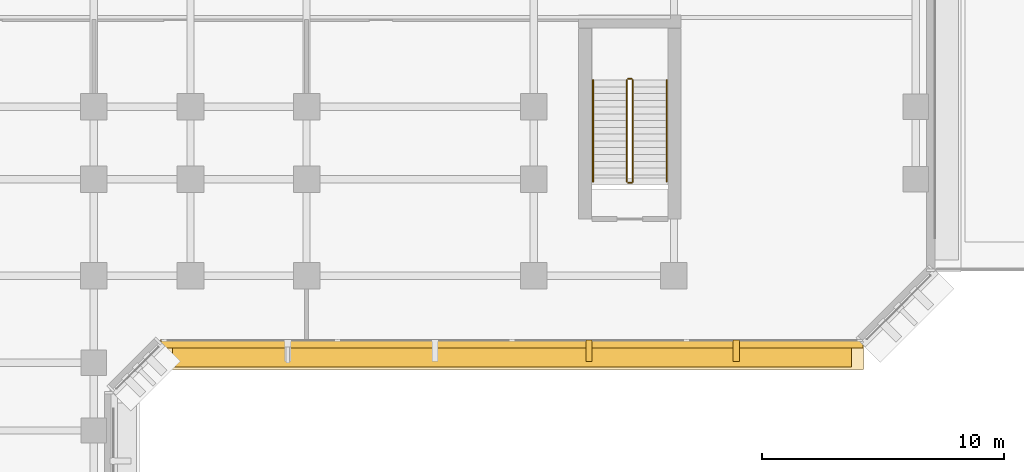
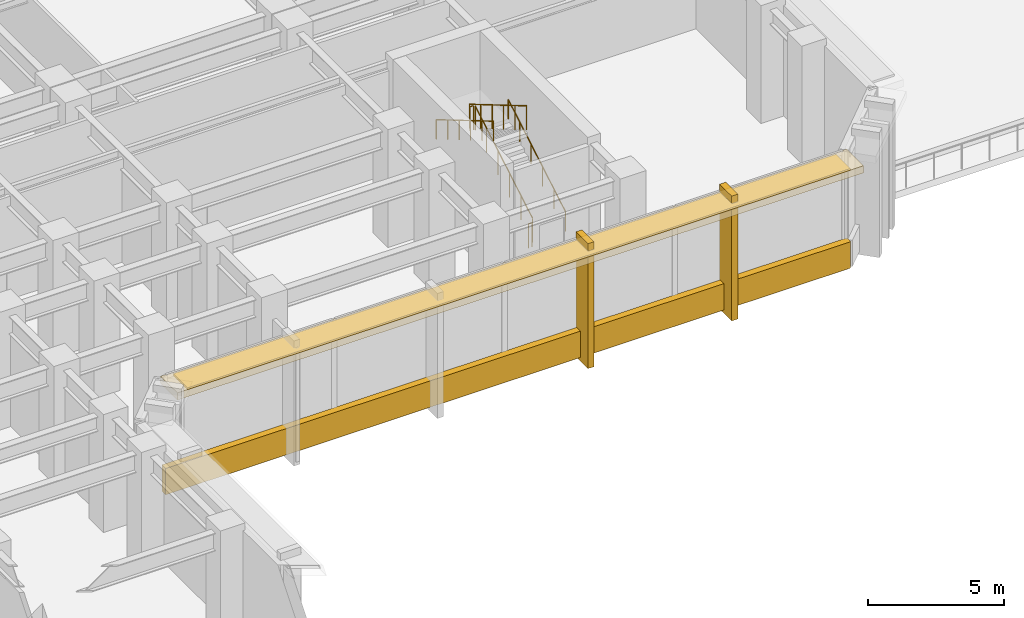
# One storey, part 12 of 16: 6 railings, 4 coverings, 1 shading device.
"""IFC4 building model written with IfcOpenShell, lengths in metres."""

from ifc_helpers import new_model, si_unit, direction, frame, origin, origin_2d, place, context, subcontext, project, spatial, rectangle, circle, extrude, material, layer, layer_set, type_object, element, save


model = new_model("IFC4")

# Units and contexts
model_context = context("Model", 3, precision=1e-05, world=origin(), true_north=direction((0.0, 1.0)))
body_context = subcontext(model_context, "Body", "Model", "MODEL_VIEW")
ifc_project = project(units=[si_unit("LENGTHUNIT", "METRE"), si_unit("AREAUNIT", "SQUARE_METRE"), si_unit("VOLUMEUNIT", "CUBIC_METRE"), si_unit("PLANEANGLEUNIT", "RADIAN"), si_unit("MASSUNIT", "GRAM", prefix="KILO")], contexts=[model_context])

# Site, building, storey
site_placement = place(None, origin())
site = spatial("IfcSite", under=ifc_project, at=site_placement, CompositionType="ELEMENT")
building_placement = place(site_placement, origin())
building = spatial("IfcBuilding", under=site, at=building_placement, Name="Kefirva Bronze Tower", CompositionType="ELEMENT")
storey_placement = place(building_placement, frame((0.0, 0.0, 11.219970703125)))
storey = spatial("IfcBuildingStorey", under=building, at=storey_placement, Name="L02", CompositionType="ELEMENT", Elevation=11.219970703125)

# Covering
ifc_material_1 = material(Name="Bronze anodised aluminium", Category="aluminium")
ifc_layer_1 = layer(ifc_material_1, 0.02001953125, Name="Bronze anodised aluminium")
ifc_layer_set_1 = layer_set([ifc_layer_1], Name="Bronze anodised aluminium")
covering_type_1 = type_object("IfcCoveringType", Name="Anodised Bronze Spandrel Cladding 20mm", PredefinedType="CLADDING", material=ifc_layer_set_1)
covering_1_placement = place(storey_placement, frame((48.5, 15.9599609375, -0.16015625), z_axis=(0.0, 0.0, 1.0), x_axis=(1.0, 0.0, 0.0)))
element("IfcCovering", 1, at=covering_1_placement, inside=storey, type_object=covering_type_1, Name="L02 Streamline Horizontal Spandrel Band 4", PredefinedType="CLADDING", context=body_context, shape_type="SweptSolid", body=[
    extrude(rectangle(XDim=29.0400390625, YDim=0.280029296875, at=origin_2d()), origin(), (0.0, 0.0, 1.0), 1.179931640625),
])

# Railings
ifc_material_2 = material(Name="Stainless steel 316", Category="steel")
railing_type_1 = type_object("IfcRailingType", Name="Interior Stair Guardrail 1100mm", PredefinedType="GUARDRAIL", material=ifc_material_2)
railing_1_placement = place(storey_placement, frame((53.5, 22.699951171875, 0.1650390625)))
element("IfcRailing", 2, at=railing_1_placement, inside=storey, type_object=railing_type_1, Name="L02 ST-4 stair guard 1", PredefinedType="GUARDRAIL", context=body_context, shape_type="SweptSolid", body=[
    extrude(circle(Radius=0.02392578125, at=origin_2d()), frame((0.0, 0.0, 1.076171875), z_axis=(0.0, 0.861527117747, 0.50771155727), x_axis=(-1.0, 0.0, 0.0)), (0.0, 0.0, 1.0), 4.875),
    extrude(circle(Radius=0.02099609375, at=origin_2d()), origin(), (0.0, 0.0, 1.0), 1.052001953125),
    extrude(circle(Radius=0.02099609375, at=origin_2d()), frame((0.0, 0.840087890625, 0.4951171875)), (0.0, 0.0, 1.0), 1.052001953125),
    extrude(circle(Radius=0.02099609375, at=origin_2d()), frame((0.0, 1.679931640625, 0.989990234375)), (0.0, 0.0, 1.0), 1.052001953125),
    extrude(circle(Radius=0.02099609375, at=origin_2d()), frame((0.0, 2.52001953125, 1.485107421875)), (0.0, 0.0, 1.0), 1.052001953125),
    extrude(circle(Radius=0.02099609375, at=origin_2d()), frame((0.0, 3.35986328125, 1.97998046875)), (0.0, 0.0, 1.0), 1.052001953125),
    extrude(circle(Radius=0.02099609375, at=origin_2d()), frame((0.0, 4.199951171875, 2.47509765625)), (0.0, 0.0, 1.0), 1.052001953125),
])
railing_2_placement = place(storey_placement, frame((53.449951171875, 26.949951171875, 2.64013671875)))
element("IfcRailing", 3, at=railing_2_placement, inside=storey, type_object=railing_type_1, Name="L02 ST-4 stair guard 2", PredefinedType="GUARDRAIL", context=body_context, shape_type="SweptSolid", body=[
    extrude(circle(Radius=0.02392578125, at=origin_2d()), frame((0.0, 0.0, 1.076171875), z_axis=(-1.0, 0.0, 0.0), x_axis=(0.0, -1.0, 0.0)), (0.0, 0.0, 1.0), 0.14990234375),
    extrude(circle(Radius=0.02099609375, at=origin_2d()), origin(), (0.0, 0.0, 1.0), 1.052001953125),
    extrude(circle(Radius=0.02099609375, at=origin_2d()), frame((-0.14990234375, 0.0, 0.0)), (0.0, 0.0, 1.0), 1.052001953125),
])
railing_3_placement = place(storey_placement, frame((53.25, 26.89990234375, 2.804931640625)))
element("IfcRailing", 4, at=railing_3_placement, inside=storey, type_object=railing_type_1, Name="L02 ST-4 stair guard 3", PredefinedType="GUARDRAIL", context=body_context, shape_type="SweptSolid", body=[
    extrude(circle(Radius=0.02392578125, at=origin_2d()), frame((0.0, 0.0, 1.076171875), z_axis=(0.0, -0.861527117747, 0.50771155727), x_axis=(1.0, 0.0, 0.0)), (0.0, 0.0, 1.0), 4.875),
    extrude(circle(Radius=0.02099609375, at=origin_2d()), origin(), (0.0, 0.0, 1.0), 1.052001953125),
    extrude(circle(Radius=0.02099609375, at=origin_2d()), frame((0.0, -0.840087890625, 0.4951171875)), (0.0, 0.0, 1.0), 1.052001953125),
    extrude(circle(Radius=0.02099609375, at=origin_2d()), frame((0.0, -1.679931640625, 0.989990234375)), (0.0, 0.0, 1.0), 1.052001953125),
    extrude(circle(Radius=0.02099609375, at=origin_2d()), frame((0.0, -2.52001953125, 1.485107421875)), (0.0, 0.0, 1.0), 1.052001953125),
    extrude(circle(Radius=0.02099609375, at=origin_2d()), frame((0.0, -3.35986328125, 1.97998046875)), (0.0, 0.0, 1.0), 1.052001953125),
    extrude(circle(Radius=0.02099609375, at=origin_2d()), frame((0.0, -4.199951171875, 2.47509765625)), (0.0, 0.0, 1.0), 1.052001953125),
])
railing_4_placement = place(storey_placement, frame((53.449951171875, 22.64990234375, 0.0)))
element("IfcRailing", 5, at=railing_4_placement, inside=storey, type_object=railing_type_1, Name="L02 ST-4 stair guard 4", PredefinedType="GUARDRAIL", context=body_context, shape_type="SweptSolid", body=[
    extrude(circle(Radius=0.02392578125, at=origin_2d()), frame((0.0, 0.0, 1.076171875), z_axis=(-1.0, 0.0, 0.0), x_axis=(0.0, -1.0, 0.0)), (0.0, 0.0, 1.0), 0.14990234375),
    extrude(circle(Radius=0.02099609375, at=origin_2d()), origin(), (0.0, 0.0, 1.0), 1.052001953125),
    extrude(circle(Radius=0.02099609375, at=origin_2d()), frame((-0.14990234375, 0.0, 0.0)), (0.0, 0.0, 1.0), 1.052001953125),
])

# Shading device
ifc_layer_2 = layer(ifc_material_1, 0.1201171875, Name="Bronze anodised aluminium")
ifc_layer_set_2 = layer_set([ifc_layer_2], Name="Bronze anodised aluminium")
shading_device_type = type_object("IfcShadingDeviceType", Name="Podium Deep Bronze Canopy Sunshade 1050mm", PredefinedType="JALOUSIE", material=ifc_layer_set_2)
shading_device_placement = place(storey_placement, frame((48.5, 15.554931640625, 4.85498046875), z_axis=(0.0, 0.0, 1.0), x_axis=(1.0, 0.0, 0.0)))
element("IfcShadingDevice", 6, at=shading_device_placement, inside=storey, type_object=shading_device_type, Name="L02 Horizontal Bronze Sunshade Band 4", PredefinedType="JALOUSIE", context=body_context, shape_type="SweptSolid", body=[
    extrude(rectangle(XDim=28.090087890625, YDim=1.050048828125, at=origin_2d()), origin(), (0.0, 0.0, 1.0), 0.090087890625),
])

# Railings
railing_type_2 = type_object("IfcRailingType", Name="Stair Pitch Handrail 900mm", PredefinedType="HANDRAIL", material=ifc_material_2)
railing_5_placement = place(storey_placement, frame((54.89990234375, 22.699951171875, 0.1650390625)))
element("IfcRailing", 7, at=railing_5_placement, inside=storey, type_object=railing_type_2, Name="L02 ST-4 stair handrail 1", PredefinedType="HANDRAIL", context=body_context, shape_type="SweptSolid", body=[
    extrude(circle(Radius=0.02392578125, at=origin_2d()), frame((0.0, 0.0, 0.8759765625), z_axis=(0.0, 0.861527117747, 0.50771155727), x_axis=(-1.0, 0.0, 0.0)), (0.0, 0.0, 1.0), 4.875),
    extrude(circle(Radius=0.02099609375, at=origin_2d()), origin(), (0.0, 0.0, 1.0), 0.851806640625),
    extrude(circle(Radius=0.02099609375, at=origin_2d()), frame((0.0, 0.840087890625, 0.4951171875)), (0.0, 0.0, 1.0), 0.851806640625),
    extrude(circle(Radius=0.02099609375, at=origin_2d()), frame((0.0, 1.679931640625, 0.989990234375)), (0.0, 0.0, 1.0), 0.851806640625),
    extrude(circle(Radius=0.02099609375, at=origin_2d()), frame((0.0, 2.52001953125, 1.485107421875)), (0.0, 0.0, 1.0), 0.851806640625),
    extrude(circle(Radius=0.02099609375, at=origin_2d()), frame((0.0, 3.35986328125, 1.97998046875)), (0.0, 0.0, 1.0), 0.851806640625),
    extrude(circle(Radius=0.02099609375, at=origin_2d()), frame((0.0, 4.199951171875, 2.47509765625)), (0.0, 0.0, 1.0), 0.851806640625),
])
railing_6_placement = place(storey_placement, frame((51.85009765625, 26.89990234375, 2.804931640625)))
element("IfcRailing", 8, at=railing_6_placement, inside=storey, type_object=railing_type_2, Name="L02 ST-4 stair handrail 2", PredefinedType="HANDRAIL", context=body_context, shape_type="SweptSolid", body=[
    extrude(circle(Radius=0.02392578125, at=origin_2d()), frame((0.0, 0.0, 0.8759765625), z_axis=(0.0, -0.861527117747, 0.50771155727), x_axis=(1.0, 0.0, 0.0)), (0.0, 0.0, 1.0), 4.875),
    extrude(circle(Radius=0.02099609375, at=origin_2d()), origin(), (0.0, 0.0, 1.0), 0.851806640625),
    extrude(circle(Radius=0.02099609375, at=origin_2d()), frame((0.0, -0.840087890625, 0.4951171875)), (0.0, 0.0, 1.0), 0.851806640625),
    extrude(circle(Radius=0.02099609375, at=origin_2d()), frame((0.0, -1.679931640625, 0.989990234375)), (0.0, 0.0, 1.0), 0.851806640625),
    extrude(circle(Radius=0.02099609375, at=origin_2d()), frame((0.0, -2.52001953125, 1.485107421875)), (0.0, 0.0, 1.0), 0.851806640625),
    extrude(circle(Radius=0.02099609375, at=origin_2d()), frame((0.0, -3.35986328125, 1.97998046875)), (0.0, 0.0, 1.0), 0.851806640625),
    extrude(circle(Radius=0.02099609375, at=origin_2d()), frame((0.0, -4.199951171875, 2.47509765625)), (0.0, 0.0, 1.0), 0.851806640625),
])

# Coverings
ifc_layer_3 = layer(ifc_material_1, 0.179931640625, Name="Bronze anodised aluminium")
ifc_layer_set_3 = layer_set([ifc_layer_3], Name="Bronze anodised aluminium")
covering_type_2 = type_object("IfcCoveringType", Name="Streamline Bronze Sunshade Eyebrow Cladding 180mm", PredefinedType="CLADDING", material=ifc_layer_set_3)
covering_2_placement = place(storey_placement, frame((48.5, 15.5400390625, 4.64013671875), z_axis=(0.0, 0.0, 1.0), x_axis=(1.0, 0.0, 0.0)))
element("IfcCovering", 9, at=covering_2_placement, inside=storey, type_object=covering_type_2, Name="L02 Streamline Bronze Sunshade Eyebrow 4", PredefinedType="CLADDING", context=body_context, shape_type="SweptSolid", body=[
    extrude(rectangle(XDim=29.080078125, YDim=1.239990234375, at=origin_2d()), origin(), (0.0, 0.0, 1.0), 0.320068359375),
])
ifc_layer_4 = layer(ifc_material_1, 0.260009765625, Name="Bronze anodised aluminium")
ifc_layer_set_4 = layer_set([ifc_layer_4], Name="Bronze anodised aluminium")
covering_type_3 = type_object("IfcCoveringType", Name="Unbroken Bronze Buttress Fin Cladding 260mm", PredefinedType="CLADDING", material=ifc_layer_set_4)
for number, where, z_axis, x_axis, name in (
    (10, (51.68994140625, 15.699951171875, -0.320068359375), (0.0, 0.0, 1.0), (1.0, 0.0, 0.0), "L02 Unbroken Vertical Bronze Rib Fin 13"),
    (11, (57.780029296875, 15.699951171875, -0.320068359375), (0.0, 0.0, 1.0), (1.0, 0.0, 0.0), "L02 Unbroken Vertical Bronze Rib Fin 14"),
):
    element("IfcCovering", number, at=place(storey_placement, frame(where, z_axis=z_axis, x_axis=x_axis)), inside=storey, type_object=covering_type_3, Name=name, PredefinedType="CLADDING", context=body_context, shape_type="SweptSolid", body=[
        extrude(rectangle(XDim=0.260009765625, YDim=0.8798828125, at=origin_2d()), origin(), (0.0, 0.0, 1.0), 5.60009765625),
    ])

save(model, "model.ifc")
